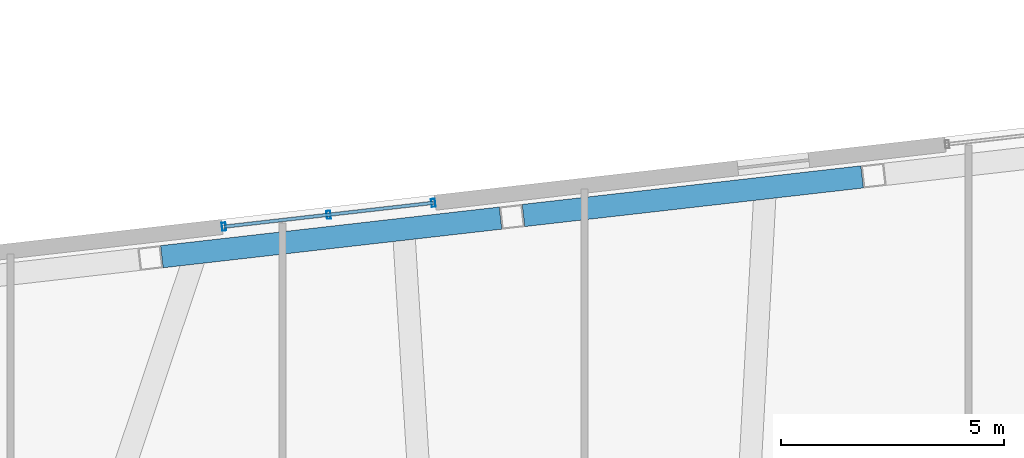
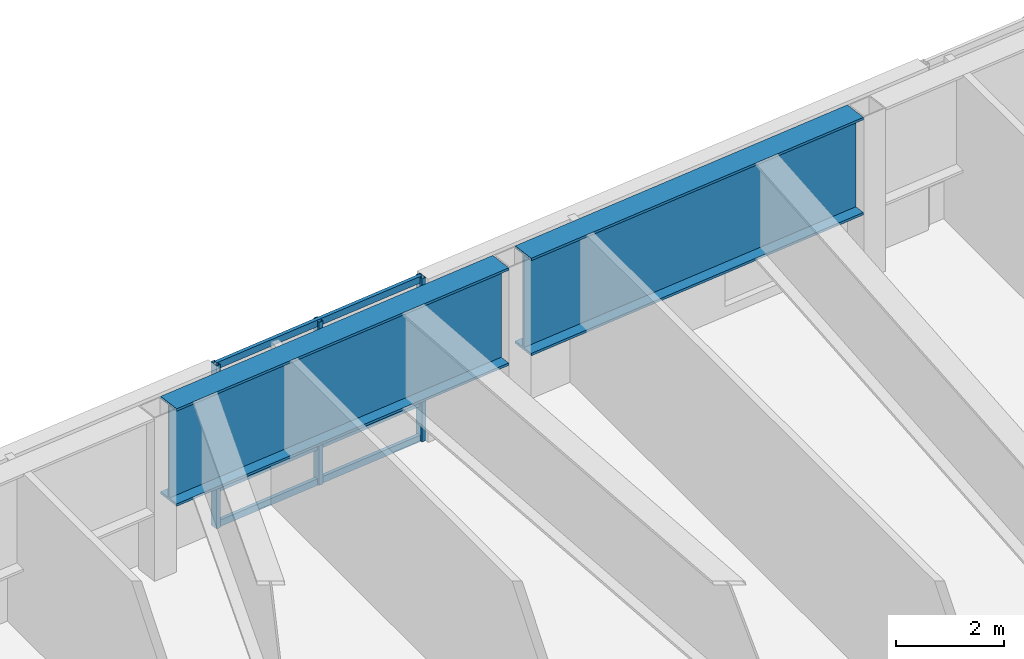
# One storey, part 8 of 18: 6 members, 2 beams, 1 element without a shape of its own.
"""IFC4 building model written with IfcOpenShell, lengths in metres."""

from ifc_helpers import new_model, si_unit, direction, frame, origin, origin_2d, place, context, subcontext, project, spatial, hollow_rectangle, i_section, extrude, material, layer, layer_set, material_profile, profile_set, type_object, element, aggregate, save


model = new_model("IFC4")

# Units and contexts
model_context = context("Model", 3, precision=1e-05, world=origin(), true_north=direction((0.0, 1.0)))
body_context = subcontext(model_context, "Body", "Model", "MODEL_VIEW")
ifc_project = project(units=[si_unit("LENGTHUNIT", "METRE"), si_unit("AREAUNIT", "SQUARE_METRE"), si_unit("VOLUMEUNIT", "CUBIC_METRE"), si_unit("PLANEANGLEUNIT", "RADIAN"), si_unit("MASSUNIT", "GRAM", prefix="KILO")], contexts=[model_context])

# Site, building, storey
site_placement = place(None, origin())
site = spatial("IfcSite", under=ifc_project, at=site_placement, CompositionType="ELEMENT")
building_placement = place(site_placement, origin())
building = spatial("IfcBuilding", under=site, at=building_placement, Name="Tavrogorsk Clinical Tower", CompositionType="ELEMENT")
storey_placement = place(building_placement, frame((0.0, 0.0, 267.0)))
storey = spatial("IfcBuildingStorey", under=building, at=storey_placement, Name="L62", CompositionType="ELEMENT", Elevation=267.0)

# Curtain wall, members
ifc_material_1 = material(Name="Anodised aluminium and triple IGU glazing", Category="aluminium")
ifc_layer = layer(ifc_material_1, 0.179931640625)
ifc_layer_set = layer_set([ifc_layer], Name="Anodised aluminium and triple IGU glazing")
curtain_wall_type = type_object("IfcCurtainWallType", Name="CW2_NorthSlot", PredefinedType="NOTDEFINED", material=ifc_layer_set)
curtain_wall_placement = place(storey_placement, origin())
curtain_wall = element("IfcCurtainWall", 1, at=curtain_wall_placement, inside=storey, type_object=curtain_wall_type, Name="L62 Curtain Wall CW-L62-N-SLOT-1", PredefinedType="NOTDEFINED")
ifc_material_2 = material(Name="Anodised aluminium alloy AW-6060", Category="aluminium")
ifc_material_profile_1 = material_profile(ifc_material_2, hollow_rectangle(XDim=0.090087890625, YDim=0.179931640625, WallThickness=0.00634765625, at=origin_2d()), Name="RHS-180x90x6.3")
ifc_profile_set_1 = profile_set([ifc_material_profile_1], Name="Anodised aluminium alloy AW-6060")
member_type_1 = type_object("IfcMemberType", Name="CwMullion_180x90", PredefinedType="MULLION", material=ifc_profile_set_1)
member_1_placement = place(storey_placement, frame((-10.781982421875, 25.42529296875, 0.0), z_axis=(0.0, 0.0, 1.0), x_axis=(-0.993571855603, -0.11320321441, 0.0)))
member_1 = element("IfcMember", 2, at=member_1_placement, type_object=member_type_1, Name="CW-L62-N-SLOT-1 Mullion 1", PredefinedType="MULLION", context=body_context, shape_type="SweptSolid", body=[
    extrude(hollow_rectangle(XDim=0.090087890625, YDim=0.179931640625, WallThickness=0.00634765625, at=origin_2d()), origin(), (0.0, 0.0, 1.0), 3.679931640625),
])
member_2_placement = place(storey_placement, frame((-13.1259765625, 25.158203125, 0.0), z_axis=(0.0, 0.0, 1.0), x_axis=(-0.993571855603, -0.11320321441, 0.0)))
member_2 = element("IfcMember", 3, at=member_2_placement, type_object=member_type_1, Name="CW-L62-N-SLOT-1 Mullion 2", PredefinedType="MULLION", context=body_context, shape_type="SweptSolid", body=[
    extrude(hollow_rectangle(XDim=0.090087890625, YDim=0.179931640625, WallThickness=0.00634765625, at=origin_2d()), origin(), (0.0, 0.0, 1.0), 3.679931640625),
])
member_3_placement = place(storey_placement, frame((-15.4697265625, 24.89111328125, 0.0), z_axis=(0.0, 0.0, 1.0), x_axis=(-0.993571855603, -0.11320321441, 0.0)))
member_3 = element("IfcMember", 4, at=member_3_placement, type_object=member_type_1, Name="CW-L62-N-SLOT-1 Mullion 3", PredefinedType="MULLION", context=body_context, shape_type="SweptSolid", body=[
    extrude(hollow_rectangle(XDim=0.090087890625, YDim=0.179931640625, WallThickness=0.00634765625, at=origin_2d()), origin(), (0.0, 0.0, 1.0), 3.679931640625),
])
ifc_material_3 = material(Name="Anodised aluminium alloy AW-6060", Category="aluminium")
ifc_material_profile_2 = material_profile(ifc_material_3, hollow_rectangle(XDim=0.074951171875, YDim=0.14990234375, WallThickness=0.0048828125, at=origin_2d()), Name="RHS-150x75x5")
ifc_profile_set_2 = profile_set([ifc_material_profile_2], Name="Anodised aluminium alloy AW-6060")
member_type_2 = type_object("IfcMemberType", Name="CwTransom_150x75", PredefinedType="USERDEFINED", material=ifc_profile_set_2)
member_4_placement = place(storey_placement, frame((-10.781982421875, 25.42529296875, 0.050048828125), z_axis=(-0.993569979218, -0.113219682023, 0.0), x_axis=(0.113219682023, -0.993569979218, 0.0)))
member_4 = element("IfcMember", 5, at=member_4_placement, type_object=member_type_2, Name="CW-L62-N-SLOT-1 Transom 1", ObjectType="TRANSOM", PredefinedType="USERDEFINED", context=body_context, shape_type="SweptSolid", body=[
    extrude(hollow_rectangle(XDim=0.074951171875, YDim=0.14990234375, WallThickness=0.0048828125, at=origin_2d()), origin(), (0.0, 0.0, 1.0), 4.718017578125),
])
member_5_placement = place(storey_placement, frame((-10.781982421875, 25.42529296875, 0.85009765625), z_axis=(-0.993569979218, -0.113219682023, 0.0), x_axis=(0.113219682023, -0.993569979218, 0.0)))
member_5 = element("IfcMember", 6, at=member_5_placement, type_object=member_type_2, Name="CW-L62-N-SLOT-1 Transom 2", ObjectType="TRANSOM", PredefinedType="USERDEFINED", context=body_context, shape_type="SweptSolid", body=[
    extrude(hollow_rectangle(XDim=0.074951171875, YDim=0.14990234375, WallThickness=0.0048828125, at=origin_2d()), origin(), (0.0, 0.0, 1.0), 4.718017578125),
])
member_6_placement = place(storey_placement, frame((-10.781982421875, 25.42529296875, 3.6298828125), z_axis=(-0.993569979218, -0.113219682023, 0.0), x_axis=(0.113219682023, -0.993569979218, 0.0)))
member_6 = element("IfcMember", 7, at=member_6_placement, type_object=member_type_2, Name="CW-L62-N-SLOT-1 Transom 3", ObjectType="TRANSOM", PredefinedType="USERDEFINED", context=body_context, shape_type="SweptSolid", body=[
    extrude(hollow_rectangle(XDim=0.074951171875, YDim=0.14990234375, WallThickness=0.0048828125, at=origin_2d()), origin(), (0.0, 0.0, 1.0), 4.718017578125),
])
aggregate(curtain_wall, [member_1, member_2, member_3, member_4, member_5, member_6])

# Beams
ifc_material_4 = material(Name="Structural steel S440", Category="steel")
ifc_material_profile_3 = material_profile(ifc_material_4, i_section(OverallWidth=0.5, OverallDepth=2.199951171875, WebThickness=0.035888671875, FlangeThickness=0.054931640625, at=origin_2d()), Name="DK-2200x500x36x55")
ifc_profile_set_3 = profile_set([ifc_material_profile_3], Name="Structural steel S440")
beam_type = type_object("IfcBeamType", Name="TransferGirder_DK2200", PredefinedType="USERDEFINED", material=ifc_profile_set_3)
for number, where, z_axis, x_axis, name in (
    (8, (-1.18017578125, 26.006103515625, 2.580078125), (-0.993568501687, -0.113232647478, 0.0), (0.113232647478, -0.993568501687, 0.0), "L62 Perimeter Spandrel N4-N5"),
    (9, (-9.2763671875, 25.08349609375, 2.580078125), (-0.993572099834, -0.113201070804, 0.0), (0.113201070804, -0.993572099834, 0.0), "L62 Perimeter Spandrel N5-N6"),
):
    element("IfcBeam", number, at=place(storey_placement, frame(where, z_axis=z_axis, x_axis=x_axis)), inside=storey, type_object=beam_type, Name=name, ObjectType="GIRDER", PredefinedType="USERDEFINED", context=body_context, shape_type="SweptSolid", body=[
        extrude(i_section(OverallWidth=0.5, OverallDepth=2.199951171875, WebThickness=0.035888671875, FlangeThickness=0.054931640625, at=origin_2d()), origin(), (0.0, 0.0, 1.0), 7.632568359375),
    ])

save(model, "model.ifc")
